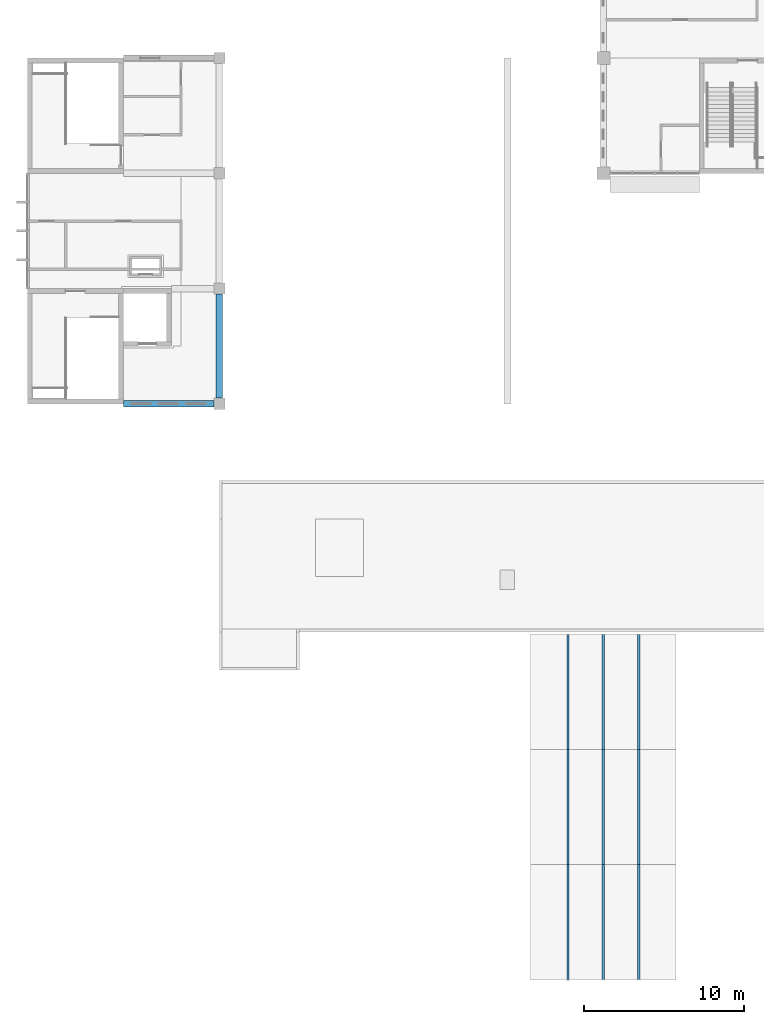
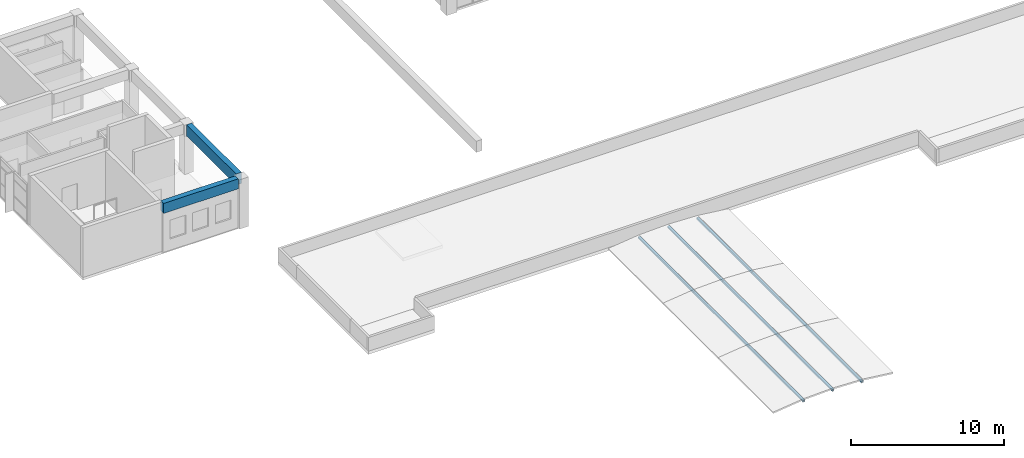
# One storey, part 3 of 47: 9 members, 2 beams.
"""IFC4 building model written with IfcOpenShell, lengths in metres."""

import ifcopenshell
import ifcopenshell.guid

model = None  # the IFC model being written
_history = None  # IfcOwnerHistory: only IFC2X3 demands one
_inside = {}  # id of a spatial element -> (the spatial element, [elements in it])
_under = {}  # id of a project, library or spatial element -> (it, [spatial elements below it])
_declared = {}  # id of a project -> (the project, [libraries it declares])
_typed = {}  # id of a type object -> (the type object, [elements of that type])
_made_of = {}  # id of a material, layer set ... -> (it, [elements and type objects made of it])


def new_model(schema):
    """Start an empty IFC model of exactly this schema.

    Asked for "IFC4X3", IfcOpenShell would pick the latest addendum, in which some entities
    have other attributes; the version numbers below select the first issue.
    IFC2X3 requires an IfcOwnerHistory on every rooted entity: one is made here for all.
    """
    global model, _history
    if schema == "IFC4X3":
        model = ifcopenshell.file(schema_version=(4, 3, 0, 0))
    else:
        model = ifcopenshell.file(schema=schema)
    _inside.clear()
    _under.clear()
    _declared.clear()
    _typed.clear()
    _made_of.clear()
    _history = None
    if model.schema == "IFC2X3":
        org = make("IfcOrganization", Name="unknown")
        user = make(
            "IfcPersonAndOrganization",
            ThePerson=make("IfcPerson", FamilyName="unknown"),
            TheOrganization=org,
        )
        app = make(
            "IfcApplication",
            ApplicationDeveloper=org,
            Version="unknown",
            ApplicationFullName="unknown",
            ApplicationIdentifier="unknown",
        )
        _history = make(
            "IfcOwnerHistory",
            OwningUser=user,
            OwningApplication=app,
            ChangeAction="ADDED",
            CreationDate=0,
        )
    return model


def make(cls, **values):
    """One entity of the class cls with the attributes given. An attribute that is None is left unset."""
    return model.create_entity(
        cls, **{name: value for name, value in values.items() if value is not None}
    )


def rooted(cls, **values):
    """An entity with a GlobalId (a new one), such as an element, a storey or a relation."""
    return make(cls, GlobalId=ifcopenshell.guid.new(), OwnerHistory=_history, **values)


def si_unit(unit_type, name, prefix=None):
    """IfcSIUnit, for example si_unit("LENGTHUNIT", "METRE", prefix="MILLI")."""
    return make("IfcSIUnit", UnitType=unit_type, Prefix=prefix, Name=name)


def assignment(units):
    """IfcUnitAssignment: the units of a project."""
    return None if units is None else make("IfcUnitAssignment", Units=units)


def point(xyz):
    """IfcCartesianPoint."""
    return None if xyz is None else make("IfcCartesianPoint", Coordinates=xyz)


def direction(xyz):
    """IfcDirection."""
    return None if xyz is None else make("IfcDirection", DirectionRatios=xyz)


def frame(location, z_axis=None, x_axis=None):
    """IfcAxis2Placement3D, a coordinate frame: its origin and axes. An axis left out is left unset."""
    return make(
        "IfcAxis2Placement3D",
        Location=point(location),
        Axis=direction(z_axis),
        RefDirection=direction(x_axis),
    )


def frame_2d(location, x_axis=None):
    """IfcAxis2Placement2D, a coordinate frame in the plane: its origin and x axis."""
    return make(
        "IfcAxis2Placement2D", Location=point(location), RefDirection=direction(x_axis)
    )


def origin():
    """The frame at (0, 0, 0) with its axes left unset."""
    return frame((0.0, 0.0, 0.0))


def origin_2d():
    """The frame at (0, 0) in the plane with its x axis left unset."""
    return frame_2d((0.0, 0.0))


def place(relative_to, where):
    """IfcLocalPlacement: puts the frame where relative to a parent placement (None: the world)."""
    return make(
        "IfcLocalPlacement", PlacementRelTo=relative_to, RelativePlacement=where
    )


def context(
    kind, dimensions, precision=None, world=None, true_north=None, identifier=None
):
    """IfcGeometricRepresentationContext, for example the 3D "Model" context."""
    return make(
        "IfcGeometricRepresentationContext",
        ContextIdentifier=identifier,
        ContextType=kind,
        CoordinateSpaceDimension=dimensions,
        Precision=precision,
        WorldCoordinateSystem=world,
        TrueNorth=true_north,
    )


def subcontext(parent, identifier, kind, view, scale=None):
    """IfcGeometricRepresentationSubContext, for example "Body" below "Model"."""
    return make(
        "IfcGeometricRepresentationSubContext",
        ContextIdentifier=identifier,
        ContextType=kind,
        ParentContext=parent,
        TargetScale=scale,
        TargetView=view,
    )


def project(units=None, contexts=None):
    """IfcProject with its units and contexts."""
    return rooted(
        "IfcProject",
        Name="project",
        RepresentationContexts=contexts,
        UnitsInContext=assignment(units),
    )


def spatial(cls, under=None, at=None, **own):
    """A site, building, storey or space (cls), placed at a placement, below another one or the project."""
    s = rooted(cls, ObjectPlacement=at, **own)
    if under is not None:
        _under.setdefault(under.id(), (under, []))[1].append(s)
    return s


def profile(cls, at=None, kind="AREA", **sizes):
    """A parametric profile (cls). Its sizes go by their IFC names, for example OverallWidth=200.0."""
    return make(cls, ProfileType=kind, Position=at, **sizes)


def rectangle(**sizes):
    """IfcRectangleProfileDef."""
    return profile("IfcRectangleProfileDef", **sizes)


def hollow_rectangle(**sizes):
    """IfcRectangleHollowProfileDef."""
    return profile("IfcRectangleHollowProfileDef", **sizes)


def extrude(swept, where, along, depth):
    """IfcExtrudedAreaSolid: the profile swept, set in the frame where, extruded along a direction by depth."""
    return make(
        "IfcExtrudedAreaSolid",
        SweptArea=swept,
        Position=where,
        ExtrudedDirection=direction(along),
        Depth=depth,
    )


def shape(context_of_items, identifier, shape_type, items):
    """IfcShapeRepresentation: the items that make up one representation, for example the "Body"."""
    return make(
        "IfcShapeRepresentation",
        ContextOfItems=context_of_items,
        RepresentationIdentifier=identifier,
        RepresentationType=shape_type,
        Items=items,
    )


def material(Name=None, Category=None):
    """IfcMaterial."""
    return make("IfcMaterial", Name=Name, Category=Category)


def material_profile(
    of_material, cross_section, Name=None, Category=None, Priority=None
):
    """IfcMaterialProfile: a cross section and its material."""
    return make(
        "IfcMaterialProfile",
        Name=Name,
        Material=of_material,
        Profile=cross_section,
        Priority=Priority,
        Category=Category,
    )


def profile_set(profiles, Name=None, composite=None):
    """IfcMaterialProfileSet."""
    return make(
        "IfcMaterialProfileSet",
        Name=Name,
        MaterialProfiles=profiles,
        CompositeProfile=composite,
    )


def made_of(thing, what):
    """Note that an element or type object is made of a material, layer set ...; save() writes the relation."""
    if what is not None:
        _made_of.setdefault(what.id(), (what, []))[1].append(thing)
    return thing


def type_object(cls, material=None, **own):
    """A type object (cls), such as IfcWallType, which elements share."""
    return made_of(rooted(cls, **own), material)


def element(
    cls,
    number,
    at=None,
    inside=None,
    cuts=None,
    type_object=None,
    material=None,
    context=None,
    identifier="Body",
    shape_type=None,
    held_by="IfcProductDefinitionShape",
    body=None,
    shapes=None,
    **own,
):
    """One element of the class cls, such as IfcWall. Its Tag is "e" and its number.

    at: its placement. inside: the storey or other place that contains it. cuts: it is an
    opening in that element (IfcRelVoidsElement). A single representation is given by context,
    identifier, shape_type and body (its items); several are given by shapes. held_by: the class
    of the entity that holds the representations. save() writes the other relations.
    """
    e = rooted(cls, Tag="e%d" % number, ObjectPlacement=at, **own)
    if body is not None:
        shapes = [shape(context, identifier, shape_type, body)]
    if shapes is not None:
        e.Representation = make(held_by, Representations=shapes)
    if inside is not None:
        _inside.setdefault(inside.id(), (inside, []))[1].append(e)
    if cuts is not None:
        rooted(
            "IfcRelVoidsElement", RelatingBuildingElement=cuts, RelatedOpeningElement=e
        )
    if type_object is not None:
        _typed.setdefault(type_object.id(), (type_object, []))[1].append(e)
    return made_of(e, material)


def aggregate(whole, parts):
    """IfcRelAggregates: a whole, such as a stair, and the parts it consists of."""
    return rooted("IfcRelAggregates", RelatingObject=whole, RelatedObjects=parts)


def save(model, path):
    """Write the relations noted so far, then the file.

    IfcRelAggregates (storeys below a building ...), IfcRelContainedInSpatialStructure (elements
    in a storey), IfcRelDefinesByType, IfcRelAssociatesMaterial and IfcRelDeclares: one each for
    every whole, place, type object, material and project.
    """
    for whole, parts in _under.values():
        aggregate(whole, parts)
    for where, things in _inside.values():
        rooted(
            "IfcRelContainedInSpatialStructure",
            RelatedElements=things,
            RelatingStructure=where,
        )
    for kind, things in _typed.values():
        rooted("IfcRelDefinesByType", RelatedObjects=things, RelatingType=kind)
    for what, things in _made_of.values():
        rooted("IfcRelAssociatesMaterial", RelatedObjects=things, RelatingMaterial=what)
    for by, libraries in _declared.values():
        rooted("IfcRelDeclares", RelatingContext=by, RelatedDefinitions=libraries)
    model.write(path)


model = new_model("IFC4")

# Units and contexts
model_context = context("Model", 3, precision=1e-05, world=origin(), true_north=direction((0.0, 1.0)))
body_context = subcontext(model_context, "Body", "Model", "MODEL_VIEW")
ifc_project = project(units=[si_unit("LENGTHUNIT", "METRE"), si_unit("AREAUNIT", "SQUARE_METRE"), si_unit("VOLUMEUNIT", "CUBIC_METRE"), si_unit("PLANEANGLEUNIT", "RADIAN"), si_unit("MASSUNIT", "GRAM", prefix="KILO")], contexts=[model_context])

# Site, building, storey
site_placement = place(None, origin())
site = spatial("IfcSite", under=ifc_project, at=site_placement, CompositionType="ELEMENT")
building_placement = place(site_placement, origin())
building = spatial("IfcBuilding", under=site, at=building_placement, Name="Laocheng Heights Fire and Rescue Headquarters", CompositionType="ELEMENT")
storey_placement = place(building_placement, frame((0.0, 0.0, 16.800048828125)))
storey = spatial("IfcBuildingStorey", under=building, at=storey_placement, Name="L04", CompositionType="ELEMENT", Elevation=16.800048828125)

# Members
ifc_material_1 = material(Name="Steel Q355B", Category="steel")
ifc_material_profile_1 = material_profile(ifc_material_1, hollow_rectangle(XDim=0.14990234375, YDim=0.14990234375, WallThickness=0.008056640625, at=origin_2d()), Name="SHS 150x150x8")
ifc_profile_set_1 = profile_set([ifc_material_profile_1], Name="Steel Q355B")
member_type = type_object("IfcMemberType", Name="BAY ROOF PURLIN SHS 150x150x8", PredefinedType="PURLIN", material=ifc_profile_set_1)
for number, where, z_axis, x_axis, name in (
    (1, (33.785400390625, 0.0, 0.1279296875), (0.0, 1.0, 0.0), (-1.0, 0.0, 0.0), "Purlin 8.1"),
    (2, (36.0, 0.0, 0.2119140625), (0.0, 1.0, 0.0), (-1.0, 0.0, 0.0), "Purlin 9.1"),
    (3, (38.214599609375, 0.0, 0.1279296875), (0.0, 1.0, 0.0), (-1.0, 0.0, 0.0), "Purlin 10.1"),
    (4, (33.785400390625, 7.199951171875, 0.1279296875), (0.0, 1.0, 0.0), (-1.0, 0.0, 0.0), "Purlin 8.2"),
    (5, (36.0, 7.199951171875, 0.2119140625), (0.0, 1.0, 0.0), (-1.0, 0.0, 0.0), "Purlin 9.2"),
    (6, (38.214599609375, 7.199951171875, 0.1279296875), (0.0, 1.0, 0.0), (-1.0, 0.0, 0.0), "Purlin 10.2"),
):
    element("IfcMember", number, at=place(storey_placement, frame(where, z_axis=z_axis, x_axis=x_axis)), inside=storey, type_object=member_type, Name=name, PredefinedType="PURLIN", context=body_context, shape_type="SweptSolid", body=[
        extrude(hollow_rectangle(XDim=0.14990234375, YDim=0.14990234375, WallThickness=0.008056640625, at=origin_2d()), origin(), (0.0, 0.0, 1.0), 7.199951171875),
    ])
for number, where, z_axis, x_axis, name in (
    (7, (33.785400390625, 14.39990234375, 0.1279296875), (0.0, 1.0, 0.0), (-1.0, 0.0, 0.0), "Purlin 8.3"),
    (8, (36.0, 14.39990234375, 0.2119140625), (0.0, 1.0, 0.0), (-1.0, 0.0, 0.0), "Purlin 9.3"),
    (9, (38.214599609375, 14.39990234375, 0.1279296875), (0.0, 1.0, 0.0), (-1.0, 0.0, 0.0), "Purlin 10.3"),
):
    element("IfcMember", number, at=place(storey_placement, frame(where, z_axis=z_axis, x_axis=x_axis)), inside=storey, type_object=member_type, Name=name, PredefinedType="PURLIN", context=body_context, shape_type="SweptSolid", body=[
        extrude(hollow_rectangle(XDim=0.14990234375, YDim=0.14990234375, WallThickness=0.008056640625, at=origin_2d()), origin(), (0.0, 0.0, 1.0), 7.2001953125),
    ])

# Beams
ifc_material_2 = material(Name="Concrete C40", Category="concrete")
ifc_material_profile_2 = material_profile(ifc_material_2, rectangle(XDim=0.39990234375, YDim=0.800048828125, at=origin_2d()), Name="RC BEAM 400x800 FOYER")
ifc_profile_set_2 = profile_set([ifc_material_profile_2], Name="Concrete C40")
beam_type_1 = type_object("IfcBeamType", Name="RC BEAM 400x800 FOYER", PredefinedType="BEAM", material=ifc_profile_set_2)
beam_1_placement = place(storey_placement, frame((6.0, 36.0, 3.550048828125), z_axis=(1.0, 0.0, 0.0), x_axis=(0.0, 1.0, 0.0)))
element("IfcBeam", 10, at=beam_1_placement, inside=storey, type_object=beam_type_1, Name="Foyer beam L04", PredefinedType="BEAM", context=body_context, shape_type="SweptSolid", body=[
    extrude(rectangle(XDim=0.39990234375, YDim=0.800048828125, at=origin_2d()), origin(), (0.0, 0.0, 1.0), 5.64990234375),
])
ifc_material_3 = material(Name="Concrete C40", Category="concrete")
ifc_material_profile_3 = material_profile(ifc_material_3, rectangle(XDim=0.39990234375, YDim=0.89990234375, at=origin_2d()), Name="RC BEAM 400x900 FOYER")
ifc_profile_set_3 = profile_set([ifc_material_profile_3], Name="Concrete C40")
beam_type_2 = type_object("IfcBeamType", Name="RC BEAM 400x900 FOYER", PredefinedType="BEAM", material=ifc_profile_set_3)
beam_2_placement = place(storey_placement, frame((12.0, 36.35009765625, 3.5), z_axis=(0.0, 1.0, 0.0), x_axis=(-1.0, 0.0, 0.0)))
element("IfcBeam", 11, at=beam_2_placement, inside=storey, type_object=beam_type_2, Name="Foyer beam L04", PredefinedType="BEAM", context=body_context, shape_type="SweptSolid", body=[
    extrude(rectangle(XDim=0.39990234375, YDim=0.89990234375, at=origin_2d()), origin(), (0.0, 0.0, 1.0), 6.5),
])

save(model, "model.ifc")
